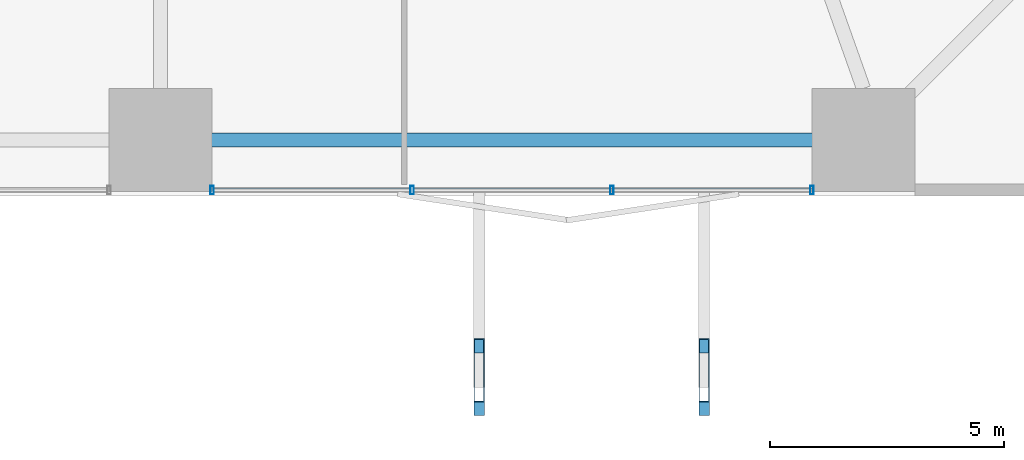
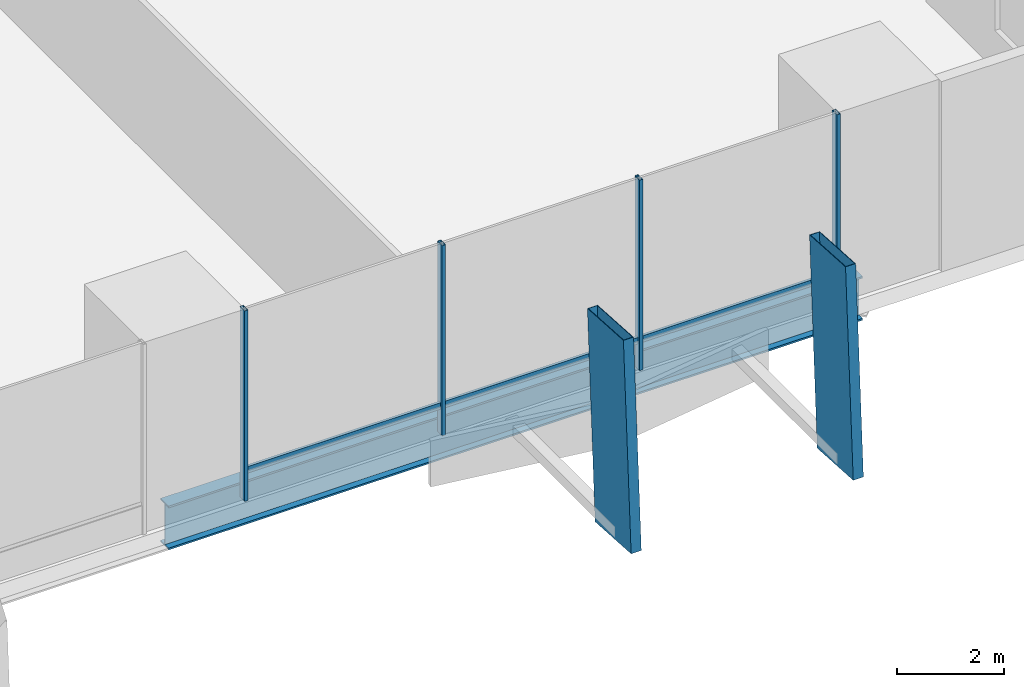
# One storey, part 6 of 24: 9 members, 1 beam, 1 element without a shape of its own.
"""IFC4 building model written with IfcOpenShell, lengths in metres."""

from ifc_helpers import new_model, si_unit, direction, frame, origin, origin_2d, place, context, subcontext, project, spatial, hollow_rectangle, i_section, extrude, material, layer, layer_set, material_profile, profile_set, type_object, element, aggregate, save


model = new_model("IFC4")

# Units and contexts
model_context = context("Model", 3, precision=1e-05, world=origin(), true_north=direction((0.0, 1.0)))
body_context = subcontext(model_context, "Body", "Model", "MODEL_VIEW")
ifc_project = project(units=[si_unit("LENGTHUNIT", "METRE"), si_unit("AREAUNIT", "SQUARE_METRE"), si_unit("VOLUMEUNIT", "CUBIC_METRE"), si_unit("PLANEANGLEUNIT", "RADIAN"), si_unit("MASSUNIT", "GRAM", prefix="KILO")], contexts=[model_context])

# Site, building, storey
site_placement = place(None, origin())
site = spatial("IfcSite", under=ifc_project, at=site_placement, CompositionType="ELEMENT")
building_placement = place(site_placement, origin())
building = spatial("IfcBuilding", under=site, at=building_placement, Name="Belovzor Exchange Tower", CompositionType="ELEMENT")
storey_placement = place(building_placement, frame((0.0, 0.0, 19.199951171875)))
storey = spatial("IfcBuildingStorey", under=building, at=storey_placement, Name="L04", CompositionType="ELEMENT", Elevation=19.199951171875)

# Members
ifc_material_1 = material(Name="Extruded Architectural Terracotta on Steel S355 Carrier", Category="masonry")
ifc_material_profile_1 = material_profile(ifc_material_1, hollow_rectangle(XDim=0.219970703125, YDim=1.35009765625, WallThickness=0.013916015625, at=origin_2d()))
ifc_profile_set_1 = profile_set([ifc_material_profile_1], Name="Extruded Architectural Terracotta on Steel S355 Carrier")
member_type_1 = type_object("IfcMemberType", Name="Base Arc Sweeping Terracotta Pylon Fin 1450", PredefinedType="USERDEFINED", material=ifc_profile_set_1)
for number, where, z_axis, x_axis, name in (
    (1, (35.60009765625, -3.402099609375, -0.349853515625), (0.0, 0.061387304598, 0.998114020959), (-1.0, 0.0, 0.0), "FIN-TC145 Terracotta Facade Fin L04 S3"),
    (2, (40.39990234375, -3.402099609375, -0.349853515625), (0.0, 0.061387304598, 0.998114020959), (-1.0, 0.0, 0.0), "FIN-TC145 Terracotta Facade Fin L04 S4"),
):
    element("IfcMember", number, at=place(storey_placement, frame(where, z_axis=z_axis, x_axis=x_axis)), inside=storey, type_object=member_type_1, Name=name, ObjectType="FIN", PredefinedType="USERDEFINED", context=body_context, shape_type="SweptSolid", body=[
        extrude(hollow_rectangle(XDim=0.219970703125, YDim=1.35009765625, WallThickness=0.013916015625, at=origin_2d()), origin(), (0.0, 0.0, 1.0), 4.708740234375),
    ])

# Beam
ifc_material_2 = material(Name="Steel S460", Category="steel")
ifc_material_profile_2 = material_profile(ifc_material_2, i_section(OverallWidth=0.300048828125, OverallDepth=1.0, WebThickness=0.02099609375, FlangeThickness=0.0400390625, at=origin_2d()))
ifc_profile_set_2 = profile_set([ifc_material_profile_2], Name="Steel S460")
beam_type = type_object("IfcBeamType", Name="Podium Exchange Hall Ring Girder HEM 1000", PredefinedType="BEAM", material=ifc_profile_set_2)
beam_placement = place(storey_placement, frame((28.800048828125, 1.800048828125, -0.849853515625), z_axis=(1.0, 0.0, 0.0), x_axis=(0.0, 1.0, 0.0)))
element("IfcBeam", 3, at=beam_placement, inside=storey, type_object=beam_type, Name="PG-1 Podium Exchange Hall Ring Girder HEM 1000", PredefinedType="BEAM", context=body_context, shape_type="SweptSolid", body=[
    extrude(i_section(OverallWidth=0.300048828125, OverallDepth=1.0, WebThickness=0.02099609375, FlangeThickness=0.0400390625, at=origin_2d()), origin(), (0.0, 0.0, 1.0), 15.0),
])

# Curtain wall, members
ifc_material_3 = material(Name="Anodised Aluminium Framing", Category="aluminium")
ifc_layer = layer(ifc_material_3, 0.2099609375)
ifc_layer_set = layer_set([ifc_layer], Name="Anodised Aluminium Framing")
curtain_wall_type = type_object("IfcCurtainWallType", Name="Double-Height Concourse & Gallery Curtain Wall", PredefinedType="NOTDEFINED", material=ifc_layer_set)
curtain_wall_placement = place(storey_placement, origin())
curtain_wall = element("IfcCurtainWall", 4, at=curtain_wall_placement, inside=storey, type_object=curtain_wall_type, Name="CW2 Double-Height Concourse & Gallery Curtain Wall L04", PredefinedType="NOTDEFINED")
ifc_material_4 = material(Name="Steel S355", Category="steel")
ifc_material_profile_3 = material_profile(ifc_material_4, hollow_rectangle(XDim=0.074951171875, YDim=0.179931640625, WallThickness=0.0048828125, at=origin_2d()))
ifc_profile_set_3 = profile_set([ifc_material_profile_3], Name="Steel S355")
member_type_2 = type_object("IfcMemberType", Name="Thermally Broken Curtain Wall Mullion 180x75", PredefinedType="MULLION", material=ifc_profile_set_3)
member_1_placement = place(storey_placement, frame((42.699951171875, 0.72998046875, 0.0), z_axis=(0.0, 0.0, 1.0), x_axis=(-1.0, 0.0, 0.0)))
member_1 = element("IfcMember", 5, at=member_1_placement, type_object=member_type_2, Name="CW-M180 Curtain Wall Mullion 1", PredefinedType="MULLION", context=body_context, shape_type="SweptSolid", body=[
    extrude(hollow_rectangle(XDim=0.074951171875, YDim=0.179931640625, WallThickness=0.0048828125, at=origin_2d()), origin(), (0.0, 0.0, 1.0), 4.35009765625),
])
member_2_placement = place(storey_placement, frame((38.43310546875, 0.72998046875, 0.0), z_axis=(0.0, 0.0, 1.0), x_axis=(-1.0, 0.0, 0.0)))
member_2 = element("IfcMember", 6, at=member_2_placement, type_object=member_type_2, Name="CW-M180 Curtain Wall Mullion 2", PredefinedType="MULLION", context=body_context, shape_type="SweptSolid", body=[
    extrude(hollow_rectangle(XDim=0.074951171875, YDim=0.179931640625, WallThickness=0.0048828125, at=origin_2d()), origin(), (0.0, 0.0, 1.0), 4.35009765625),
])
member_3_placement = place(storey_placement, frame((34.1669921875, 0.72998046875, 0.0), z_axis=(0.0, 0.0, 1.0), x_axis=(-1.0, 0.0, 0.0)))
member_3 = element("IfcMember", 7, at=member_3_placement, type_object=member_type_2, Name="CW-M180 Curtain Wall Mullion 3", PredefinedType="MULLION", context=body_context, shape_type="SweptSolid", body=[
    extrude(hollow_rectangle(XDim=0.074951171875, YDim=0.179931640625, WallThickness=0.0048828125, at=origin_2d()), origin(), (0.0, 0.0, 1.0), 4.35009765625),
])
member_4_placement = place(storey_placement, frame((29.89990234375, 0.72998046875, 0.0), z_axis=(0.0, 0.0, 1.0), x_axis=(-1.0, 0.0, 0.0)))
member_4 = element("IfcMember", 8, at=member_4_placement, type_object=member_type_2, Name="CW-M180 Curtain Wall Mullion 4", PredefinedType="MULLION", context=body_context, shape_type="SweptSolid", body=[
    extrude(hollow_rectangle(XDim=0.074951171875, YDim=0.179931640625, WallThickness=0.0048828125, at=origin_2d()), origin(), (0.0, 0.0, 1.0), 4.35009765625),
])
ifc_material_5 = material(Name="Steel S355", Category="steel")
ifc_material_profile_4 = material_profile(ifc_material_5, hollow_rectangle(XDim=0.06005859375, YDim=0.14990234375, WallThickness=0.00390625, at=origin_2d()))
ifc_profile_set_4 = profile_set([ifc_material_profile_4], Name="Steel S355")
member_type_3 = type_object("IfcMemberType", Name="Thermally Broken Curtain Wall Transom 150x60", PredefinedType="USERDEFINED", material=ifc_profile_set_4)
member_5_placement = place(storey_placement, frame((42.69189453125, 0.72998046875, 0.650146484375), z_axis=(-1.0, 0.0, 0.0), x_axis=(0.0, -1.0, 0.0)))
member_5 = element("IfcMember", 9, at=member_5_placement, type_object=member_type_3, Name="CW-T150 Curtain Wall Transom 1", ObjectType="TRANSOM", PredefinedType="USERDEFINED", context=body_context, shape_type="SweptSolid", body=[
    extrude(hollow_rectangle(XDim=0.06005859375, YDim=0.14990234375, WallThickness=0.00390625, at=origin_2d()), origin(), (0.0, 0.0, 1.0), 4.2509765625),
])
member_6_placement = place(storey_placement, frame((38.425048828125, 0.72998046875, 0.650146484375), z_axis=(-1.0, 0.0, 0.0), x_axis=(0.0, -1.0, 0.0)))
member_6 = element("IfcMember", 10, at=member_6_placement, type_object=member_type_3, Name="CW-T150 Curtain Wall Transom 2", ObjectType="TRANSOM", PredefinedType="USERDEFINED", context=body_context, shape_type="SweptSolid", body=[
    extrude(hollow_rectangle(XDim=0.06005859375, YDim=0.14990234375, WallThickness=0.00390625, at=origin_2d()), origin(), (0.0, 0.0, 1.0), 4.25),
])
member_7_placement = place(storey_placement, frame((34.158935546875, 0.72998046875, 0.650146484375), z_axis=(-1.0, 0.0, 0.0), x_axis=(0.0, -1.0, 0.0)))
member_7 = element("IfcMember", 11, at=member_7_placement, type_object=member_type_3, Name="CW-T150 Curtain Wall Transom 3", ObjectType="TRANSOM", PredefinedType="USERDEFINED", context=body_context, shape_type="SweptSolid", body=[
    extrude(hollow_rectangle(XDim=0.06005859375, YDim=0.14990234375, WallThickness=0.00390625, at=origin_2d()), origin(), (0.0, 0.0, 1.0), 4.2509765625),
])
aggregate(curtain_wall, [member_1, member_2, member_3, member_4, member_5, member_6, member_7])

save(model, "model.ifc")
